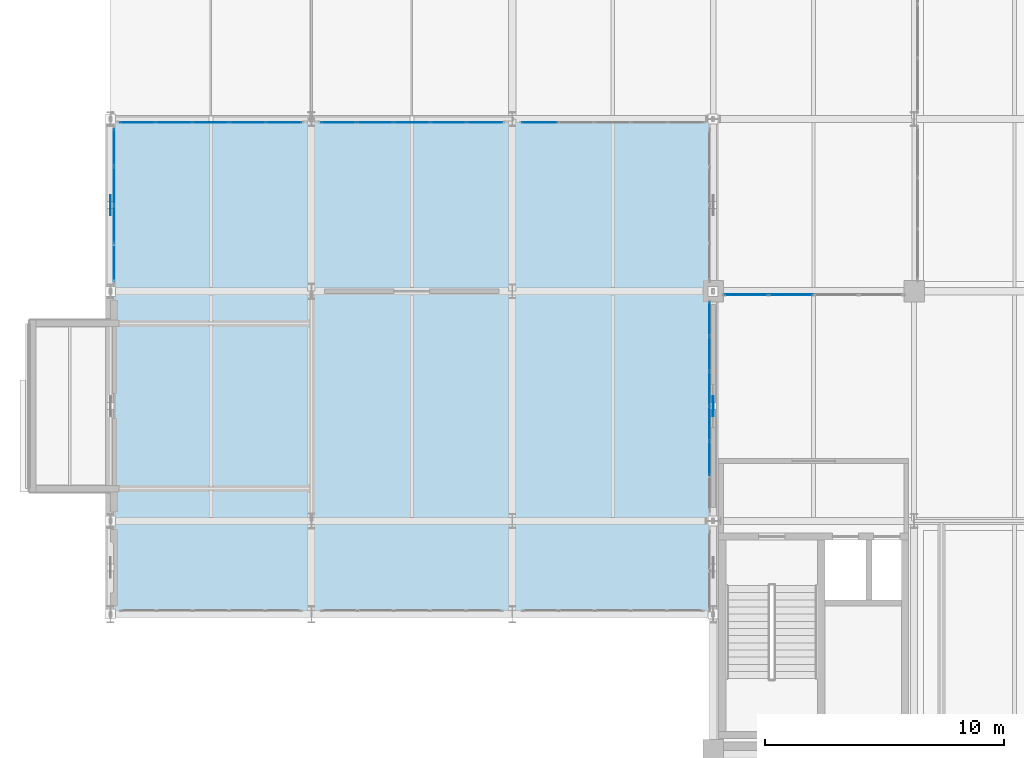
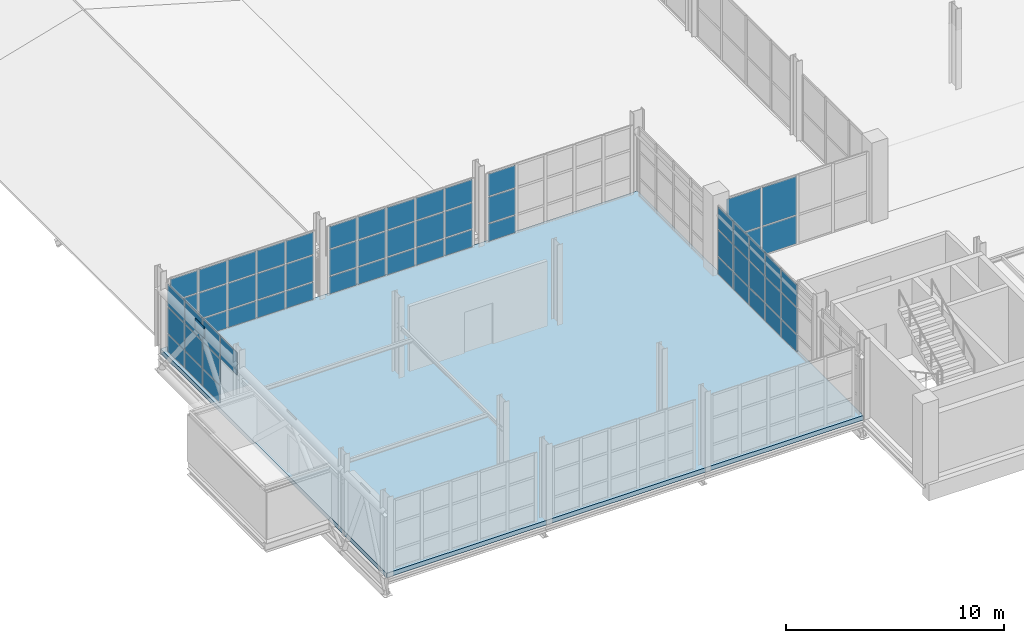
# One storey, part 105 of 130: 64 plates, 1 slab, 6 elements without a shape of their own.
"""IFC4 building model written with IfcOpenShell, lengths in metres."""

from ifc_helpers import new_model, si_unit, direction, frame, origin, origin_2d, place, context, subcontext, project, spatial, polyline, rectangle, outline, extrude, material, layer, layer_set, type_object, element, aggregate, save


model = new_model("IFC4")

# Units and contexts
model_context = context("Model", 3, precision=1e-05, world=origin(), true_north=direction((0.0, 1.0)))
body_context = subcontext(model_context, "Body", "Model", "MODEL_VIEW")
ifc_project = project(units=[si_unit("LENGTHUNIT", "METRE"), si_unit("AREAUNIT", "SQUARE_METRE"), si_unit("VOLUMEUNIT", "CUBIC_METRE"), si_unit("PLANEANGLEUNIT", "RADIAN"), si_unit("MASSUNIT", "GRAM", prefix="KILO")], contexts=[model_context])

# Site, building, storey
site_placement = place(None, origin())
site = spatial("IfcSite", under=ifc_project, at=site_placement, CompositionType="ELEMENT")
building_placement = place(site_placement, origin())
building = spatial("IfcBuilding", under=site, at=building_placement, Name="Veltarok Museum of Natural Sciences", CompositionType="ELEMENT")
storey_placement = place(building_placement, frame((0.0, 0.0, 12.89990234375)))
storey = spatial("IfcBuildingStorey", under=building, at=storey_placement, Name="L02", CompositionType="ELEMENT", Elevation=12.89990234375)

# Slab
ifc_material_1 = material(Name="Concrete C40/50", Category="concrete")
ifc_layer_1 = layer(ifc_material_1, 0.25)
ifc_layer_set_1 = layer_set([ifc_layer_1], Name="Concrete C40/50")
slab_type = type_object("IfcSlabType", Name="Paleontology Bridge Composite Deck 250", PredefinedType="FLOOR", material=ifc_layer_set_1)
slab_placement = place(storey_placement, frame((0.0, 0.0, -0.25)))
element("IfcSlab", 1, at=slab_placement, inside=storey, type_object=slab_type, Name="Floor Slab L02 V4", PredefinedType="FLOOR", context=body_context, shape_type="SweptSolid", body=[
    extrude(outline(polyline([(6.39990234375, 5.699951171875), (6.39990234375, 26.39990234375), (31.60009765625, 26.39990234375), (31.60009765625, 5.699951171875), (6.39990234375, 5.699951171875)])), origin(), (0.0, 0.0, 1.0), 0.25),
])

# Plates
ifc_material_2 = material(Name="Steel S355J2", Category="steel")
ifc_layer_2 = layer(ifc_material_2, 0.030029296875)
ifc_layer_set_2 = layer_set([ifc_layer_2], Name="Steel S355J2")
plate_type_1 = type_object("IfcPlateType", Name="Transfer Truss Chord Gusset Node Plate CN1", PredefinedType="USERDEFINED", material=ifc_layer_set_2)
for number, where, z_axis, x_axis, name in (
    (2, (6.39990234375, 22.800048828125, 3.01025390625), (0.0, 0.0, 1.0), (1.0, 0.0, 0.0), "Transfer Truss Node CN1 3"),
    (3, (31.60009765625, 14.39990234375, 3.01025390625), (0.0, 0.0, 1.0), (1.0, 0.0, 0.0), "Transfer Truss Node CN1 5"),
):
    element("IfcPlate", number, at=place(storey_placement, frame(where, z_axis=z_axis, x_axis=x_axis)), inside=storey, type_object=plate_type_1, Name=name, ObjectType="GUSSET PLATE", PredefinedType="USERDEFINED", context=body_context, shape_type="SweptSolid", body=[
        extrude(rectangle(XDim=0.030029296875, YDim=0.840087890625, at=origin_2d()), origin(), (0.0, 0.0, 1.0), 0.639892578125),
    ])

# Curtain wall, plates
ifc_material_3 = material(Name="Low-iron triple insulated glass", Category="glass")
curtain_wall_type_1 = type_object("IfcCurtainWallType", Name="Curtain Wall System CW-BRG-E-L02-BC-876x388 (Bridge East Court L02 BC 876x388cm)", PredefinedType="NOTDEFINED", material=ifc_material_3)
curtain_wall_1_placement = place(storey_placement, origin())
curtain_wall_1 = element("IfcCurtainWall", 4, at=curtain_wall_1_placement, inside=storey, type_object=curtain_wall_type_1, Name="Curtain Wall CW-BRG-E-L02-BC-876x388 CW-0031", PredefinedType="NOTDEFINED")
ifc_layer_3 = layer(ifc_material_3, 0.028076171875)
ifc_layer_set_3 = layer_set([ifc_layer_3], Name="Low-iron triple insulated glass")
plate_type_2 = type_object("IfcPlateType", Name="Triple Low-Iron Glazed Vision Panel 28", PredefinedType="CURTAIN_PANEL", material=ifc_layer_set_3)
plate_1_placement = place(storey_placement, frame((31.449951171875, 12.2099609375, 0.06005859375), z_axis=(0.0, 0.0, 1.0), x_axis=(0.0, 1.0, 0.0)))
plate_1 = element("IfcPlate", 5, at=plate_1_placement, type_object=plate_type_2, Name="CW-BRG-E-L02-BC-876x388 panel 2.1", PredefinedType="CURTAIN_PANEL", context=body_context, shape_type="SweptSolid", body=[
    extrude(rectangle(XDim=1.39990234375, YDim=0.028076171875, at=origin_2d()), origin(), (0.0, 0.0, 1.0), 0.9599609375),
])
plate_2_placement = place(storey_placement, frame((31.449951171875, 12.2099609375, 1.080078125), z_axis=(0.0, 0.0, 1.0), x_axis=(0.0, 1.0, 0.0)))
plate_2 = element("IfcPlate", 6, at=plate_2_placement, type_object=plate_type_2, Name="CW-BRG-E-L02-BC-876x388 panel 2.2", PredefinedType="CURTAIN_PANEL", context=body_context, shape_type="SweptSolid", body=[
    extrude(rectangle(XDim=1.39990234375, YDim=0.028076171875, at=origin_2d()), origin(), (0.0, 0.0, 1.0), 1.43994140625),
])
plate_3_placement = place(storey_placement, frame((31.449951171875, 12.2099609375, 2.580078125), z_axis=(0.0, 0.0, 1.0), x_axis=(0.0, 1.0, 0.0)))
plate_3 = element("IfcPlate", 7, at=plate_3_placement, type_object=plate_type_2, Name="CW-BRG-E-L02-BC-876x388 panel 2.3", PredefinedType="CURTAIN_PANEL", context=body_context, shape_type="SweptSolid", body=[
    extrude(rectangle(XDim=1.39990234375, YDim=0.028076171875, at=origin_2d()), origin(), (0.0, 0.0, 1.0), 1.239990234375),
])
plate_4_placement = place(storey_placement, frame((31.449951171875, 13.669921875, 0.06005859375), z_axis=(0.0, 0.0, 1.0), x_axis=(0.0, 1.0, 0.0)))
plate_4 = element("IfcPlate", 8, at=plate_4_placement, type_object=plate_type_2, Name="CW-BRG-E-L02-BC-876x388 panel 3.1", PredefinedType="CURTAIN_PANEL", context=body_context, shape_type="SweptSolid", body=[
    extrude(rectangle(XDim=1.39990234375, YDim=0.028076171875, at=origin_2d()), origin(), (0.0, 0.0, 1.0), 0.9599609375),
])
plate_5_placement = place(storey_placement, frame((31.449951171875, 13.669921875, 1.080078125), z_axis=(0.0, 0.0, 1.0), x_axis=(0.0, 1.0, 0.0)))
plate_5 = element("IfcPlate", 9, at=plate_5_placement, type_object=plate_type_2, Name="CW-BRG-E-L02-BC-876x388 panel 3.2", PredefinedType="CURTAIN_PANEL", context=body_context, shape_type="SweptSolid", body=[
    extrude(rectangle(XDim=1.39990234375, YDim=0.028076171875, at=origin_2d()), origin(), (0.0, 0.0, 1.0), 1.43994140625),
])
plate_6_placement = place(storey_placement, frame((31.449951171875, 13.669921875, 2.580078125), z_axis=(0.0, 0.0, 1.0), x_axis=(0.0, 1.0, 0.0)))
plate_6 = element("IfcPlate", 10, at=plate_6_placement, type_object=plate_type_2, Name="CW-BRG-E-L02-BC-876x388 panel 3.3", PredefinedType="CURTAIN_PANEL", context=body_context, shape_type="SweptSolid", body=[
    extrude(rectangle(XDim=1.39990234375, YDim=0.028076171875, at=origin_2d()), origin(), (0.0, 0.0, 1.0), 1.239990234375),
])
plate_7_placement = place(storey_placement, frame((31.449951171875, 15.1298828125, 0.06005859375), z_axis=(0.0, 0.0, 1.0), x_axis=(0.0, 1.0, 0.0)))
plate_7 = element("IfcPlate", 11, at=plate_7_placement, type_object=plate_type_2, Name="CW-BRG-E-L02-BC-876x388 panel 4.1", PredefinedType="CURTAIN_PANEL", context=body_context, shape_type="SweptSolid", body=[
    extrude(rectangle(XDim=1.39990234375, YDim=0.028076171875, at=origin_2d()), origin(), (0.0, 0.0, 1.0), 0.9599609375),
])
plate_8_placement = place(storey_placement, frame((31.449951171875, 15.1298828125, 1.080078125), z_axis=(0.0, 0.0, 1.0), x_axis=(0.0, 1.0, 0.0)))
plate_8 = element("IfcPlate", 12, at=plate_8_placement, type_object=plate_type_2, Name="CW-BRG-E-L02-BC-876x388 panel 4.2", PredefinedType="CURTAIN_PANEL", context=body_context, shape_type="SweptSolid", body=[
    extrude(rectangle(XDim=1.39990234375, YDim=0.028076171875, at=origin_2d()), origin(), (0.0, 0.0, 1.0), 1.43994140625),
])
plate_9_placement = place(storey_placement, frame((31.449951171875, 15.1298828125, 2.580078125), z_axis=(0.0, 0.0, 1.0), x_axis=(0.0, 1.0, 0.0)))
plate_9 = element("IfcPlate", 13, at=plate_9_placement, type_object=plate_type_2, Name="CW-BRG-E-L02-BC-876x388 panel 4.3", PredefinedType="CURTAIN_PANEL", context=body_context, shape_type="SweptSolid", body=[
    extrude(rectangle(XDim=1.39990234375, YDim=0.028076171875, at=origin_2d()), origin(), (0.0, 0.0, 1.0), 1.239990234375),
])
plate_10_placement = place(storey_placement, frame((31.449951171875, 16.590087890625, 0.06005859375), z_axis=(0.0, 0.0, 1.0), x_axis=(0.0, 1.0, 0.0)))
plate_10 = element("IfcPlate", 14, at=plate_10_placement, type_object=plate_type_2, Name="CW-BRG-E-L02-BC-876x388 panel 5.1", PredefinedType="CURTAIN_PANEL", context=body_context, shape_type="SweptSolid", body=[
    extrude(rectangle(XDim=1.39990234375, YDim=0.028076171875, at=origin_2d()), origin(), (0.0, 0.0, 1.0), 0.9599609375),
])
plate_11_placement = place(storey_placement, frame((31.449951171875, 16.590087890625, 1.080078125), z_axis=(0.0, 0.0, 1.0), x_axis=(0.0, 1.0, 0.0)))
plate_11 = element("IfcPlate", 15, at=plate_11_placement, type_object=plate_type_2, Name="CW-BRG-E-L02-BC-876x388 panel 5.2", PredefinedType="CURTAIN_PANEL", context=body_context, shape_type="SweptSolid", body=[
    extrude(rectangle(XDim=1.39990234375, YDim=0.028076171875, at=origin_2d()), origin(), (0.0, 0.0, 1.0), 1.43994140625),
])
plate_12_placement = place(storey_placement, frame((31.449951171875, 16.590087890625, 2.580078125), z_axis=(0.0, 0.0, 1.0), x_axis=(0.0, 1.0, 0.0)))
plate_12 = element("IfcPlate", 16, at=plate_12_placement, type_object=plate_type_2, Name="CW-BRG-E-L02-BC-876x388 panel 5.3", PredefinedType="CURTAIN_PANEL", context=body_context, shape_type="SweptSolid", body=[
    extrude(rectangle(XDim=1.39990234375, YDim=0.028076171875, at=origin_2d()), origin(), (0.0, 0.0, 1.0), 1.239990234375),
])
plate_13_placement = place(storey_placement, frame((31.449951171875, 18.034912109375, 0.06005859375), z_axis=(0.0, 0.0, 1.0), x_axis=(0.0, 1.0, 0.0)))
plate_13 = element("IfcPlate", 17, at=plate_13_placement, type_object=plate_type_2, Name="CW-BRG-E-L02-BC-876x388 panel 6.1", PredefinedType="CURTAIN_PANEL", context=body_context, shape_type="SweptSolid", body=[
    extrude(rectangle(XDim=1.3701171875, YDim=0.028076171875, at=origin_2d()), origin(), (0.0, 0.0, 1.0), 0.9599609375),
])
plate_14_placement = place(storey_placement, frame((31.449951171875, 18.034912109375, 1.080078125), z_axis=(0.0, 0.0, 1.0), x_axis=(0.0, 1.0, 0.0)))
plate_14 = element("IfcPlate", 18, at=plate_14_placement, type_object=plate_type_2, Name="CW-BRG-E-L02-BC-876x388 panel 6.2", PredefinedType="CURTAIN_PANEL", context=body_context, shape_type="SweptSolid", body=[
    extrude(rectangle(XDim=1.3701171875, YDim=0.028076171875, at=origin_2d()), origin(), (0.0, 0.0, 1.0), 1.43994140625),
])
plate_15_placement = place(storey_placement, frame((31.449951171875, 18.034912109375, 2.580078125), z_axis=(0.0, 0.0, 1.0), x_axis=(0.0, 1.0, 0.0)))
plate_15 = element("IfcPlate", 19, at=plate_15_placement, type_object=plate_type_2, Name="CW-BRG-E-L02-BC-876x388 panel 6.3", PredefinedType="CURTAIN_PANEL", context=body_context, shape_type="SweptSolid", body=[
    extrude(rectangle(XDim=1.3701171875, YDim=0.028076171875, at=origin_2d()), origin(), (0.0, 0.0, 1.0), 1.239990234375),
])
aggregate(curtain_wall_1, [plate_1, plate_2, plate_3, plate_4, plate_5, plate_6, plate_7, plate_8, plate_9, plate_10, plate_11, plate_12, plate_13, plate_14, plate_15])

curtain_wall_type_2 = type_object("IfcCurtainWallType", Name="Curtain Wall System CW-BRG-N-L02-1-768x388 (Bridge North Court L02 1-2 768x388cm)", PredefinedType="NOTDEFINED", material=ifc_material_3)
curtain_wall_2_placement = place(storey_placement, origin())
curtain_wall_2 = element("IfcCurtainWall", 20, at=curtain_wall_2_placement, inside=storey, type_object=curtain_wall_type_2, Name="Curtain Wall CW-BRG-N-L02-1-768x388 CW-0033", PredefinedType="NOTDEFINED")
plate_16_placement = place(storey_placement, frame((13.656982421875, 26.25, 0.06005859375), z_axis=(0.0, 0.0, 1.0), x_axis=(-1.0, 0.0, 0.0)))
plate_16 = element("IfcPlate", 21, at=plate_16_placement, type_object=plate_type_2, Name="CW-BRG-N-L02-1-768x388 panel 1.1", PredefinedType="CURTAIN_PANEL", context=body_context, shape_type="SweptSolid", body=[
    extrude(rectangle(XDim=1.446044921875, YDim=0.028076171875, at=origin_2d()), origin(), (0.0, 0.0, 1.0), 0.9599609375),
])
plate_17_placement = place(storey_placement, frame((13.656982421875, 26.25, 1.080078125), z_axis=(0.0, 0.0, 1.0), x_axis=(-1.0, 0.0, 0.0)))
plate_17 = element("IfcPlate", 22, at=plate_17_placement, type_object=plate_type_2, Name="CW-BRG-N-L02-1-768x388 panel 1.2", PredefinedType="CURTAIN_PANEL", context=body_context, shape_type="SweptSolid", body=[
    extrude(rectangle(XDim=1.446044921875, YDim=0.028076171875, at=origin_2d()), origin(), (0.0, 0.0, 1.0), 1.43994140625),
])
plate_18_placement = place(storey_placement, frame((13.656982421875, 26.25, 2.580078125), z_axis=(0.0, 0.0, 1.0), x_axis=(-1.0, 0.0, 0.0)))
plate_18 = element("IfcPlate", 23, at=plate_18_placement, type_object=plate_type_2, Name="CW-BRG-N-L02-1-768x388 panel 1.3", PredefinedType="CURTAIN_PANEL", context=body_context, shape_type="SweptSolid", body=[
    extrude(rectangle(XDim=1.446044921875, YDim=0.028076171875, at=origin_2d()), origin(), (0.0, 0.0, 1.0), 1.239990234375),
])
plate_19_placement = place(storey_placement, frame((12.135986328125, 26.25, 0.06005859375), z_axis=(0.0, 0.0, 1.0), x_axis=(-1.0, 0.0, 0.0)))
plate_19 = element("IfcPlate", 24, at=plate_19_placement, type_object=plate_type_2, Name="CW-BRG-N-L02-1-768x388 panel 2.1", PredefinedType="CURTAIN_PANEL", context=body_context, shape_type="SweptSolid", body=[
    extrude(rectangle(XDim=1.47607421875, YDim=0.028076171875, at=origin_2d()), origin(), (0.0, 0.0, 1.0), 0.9599609375),
])
plate_20_placement = place(storey_placement, frame((12.135986328125, 26.25, 1.080078125), z_axis=(0.0, 0.0, 1.0), x_axis=(-1.0, 0.0, 0.0)))
plate_20 = element("IfcPlate", 25, at=plate_20_placement, type_object=plate_type_2, Name="CW-BRG-N-L02-1-768x388 panel 2.2", PredefinedType="CURTAIN_PANEL", context=body_context, shape_type="SweptSolid", body=[
    extrude(rectangle(XDim=1.47607421875, YDim=0.028076171875, at=origin_2d()), origin(), (0.0, 0.0, 1.0), 1.43994140625),
])
plate_21_placement = place(storey_placement, frame((12.135986328125, 26.25, 2.580078125), z_axis=(0.0, 0.0, 1.0), x_axis=(-1.0, 0.0, 0.0)))
plate_21 = element("IfcPlate", 26, at=plate_21_placement, type_object=plate_type_2, Name="CW-BRG-N-L02-1-768x388 panel 2.3", PredefinedType="CURTAIN_PANEL", context=body_context, shape_type="SweptSolid", body=[
    extrude(rectangle(XDim=1.47607421875, YDim=0.028076171875, at=origin_2d()), origin(), (0.0, 0.0, 1.0), 1.239990234375),
])
plate_22_placement = place(storey_placement, frame((10.60009765625, 26.25, 0.06005859375), z_axis=(0.0, 0.0, 1.0), x_axis=(-1.0, 0.0, 0.0)))
plate_22 = element("IfcPlate", 27, at=plate_22_placement, type_object=plate_type_2, Name="CW-BRG-N-L02-1-768x388 panel 3.1", PredefinedType="CURTAIN_PANEL", context=body_context, shape_type="SweptSolid", body=[
    extrude(rectangle(XDim=1.47607421875, YDim=0.028076171875, at=origin_2d()), origin(), (0.0, 0.0, 1.0), 0.9599609375),
])
plate_23_placement = place(storey_placement, frame((10.60009765625, 26.25, 1.080078125), z_axis=(0.0, 0.0, 1.0), x_axis=(-1.0, 0.0, 0.0)))
plate_23 = element("IfcPlate", 28, at=plate_23_placement, type_object=plate_type_2, Name="CW-BRG-N-L02-1-768x388 panel 3.2", PredefinedType="CURTAIN_PANEL", context=body_context, shape_type="SweptSolid", body=[
    extrude(rectangle(XDim=1.47607421875, YDim=0.028076171875, at=origin_2d()), origin(), (0.0, 0.0, 1.0), 1.43994140625),
])
plate_24_placement = place(storey_placement, frame((10.60009765625, 26.25, 2.580078125), z_axis=(0.0, 0.0, 1.0), x_axis=(-1.0, 0.0, 0.0)))
plate_24 = element("IfcPlate", 29, at=plate_24_placement, type_object=plate_type_2, Name="CW-BRG-N-L02-1-768x388 panel 3.3", PredefinedType="CURTAIN_PANEL", context=body_context, shape_type="SweptSolid", body=[
    extrude(rectangle(XDim=1.47607421875, YDim=0.028076171875, at=origin_2d()), origin(), (0.0, 0.0, 1.0), 1.239990234375),
])
plate_25_placement = place(storey_placement, frame((9.06396484375, 26.25, 0.06005859375), z_axis=(0.0, 0.0, 1.0), x_axis=(-1.0, 0.0, 0.0)))
plate_25 = element("IfcPlate", 30, at=plate_25_placement, type_object=plate_type_2, Name="CW-BRG-N-L02-1-768x388 panel 4.1", PredefinedType="CURTAIN_PANEL", context=body_context, shape_type="SweptSolid", body=[
    extrude(rectangle(XDim=1.47607421875, YDim=0.028076171875, at=origin_2d()), origin(), (0.0, 0.0, 1.0), 0.9599609375),
])
plate_26_placement = place(storey_placement, frame((9.06396484375, 26.25, 1.080078125), z_axis=(0.0, 0.0, 1.0), x_axis=(-1.0, 0.0, 0.0)))
plate_26 = element("IfcPlate", 31, at=plate_26_placement, type_object=plate_type_2, Name="CW-BRG-N-L02-1-768x388 panel 4.2", PredefinedType="CURTAIN_PANEL", context=body_context, shape_type="SweptSolid", body=[
    extrude(rectangle(XDim=1.47607421875, YDim=0.028076171875, at=origin_2d()), origin(), (0.0, 0.0, 1.0), 1.43994140625),
])
plate_27_placement = place(storey_placement, frame((9.06396484375, 26.25, 2.580078125), z_axis=(0.0, 0.0, 1.0), x_axis=(-1.0, 0.0, 0.0)))
plate_27 = element("IfcPlate", 32, at=plate_27_placement, type_object=plate_type_2, Name="CW-BRG-N-L02-1-768x388 panel 4.3", PredefinedType="CURTAIN_PANEL", context=body_context, shape_type="SweptSolid", body=[
    extrude(rectangle(XDim=1.47607421875, YDim=0.028076171875, at=origin_2d()), origin(), (0.0, 0.0, 1.0), 1.239990234375),
])
plate_28_placement = place(storey_placement, frame((7.54296875, 26.25, 0.06005859375), z_axis=(0.0, 0.0, 1.0), x_axis=(-1.0, 0.0, 0.0)))
plate_28 = element("IfcPlate", 33, at=plate_28_placement, type_object=plate_type_2, Name="CW-BRG-N-L02-1-768x388 panel 5.1", PredefinedType="CURTAIN_PANEL", context=body_context, shape_type="SweptSolid", body=[
    extrude(rectangle(XDim=1.446044921875, YDim=0.028076171875, at=origin_2d()), origin(), (0.0, 0.0, 1.0), 0.9599609375),
])
plate_29_placement = place(storey_placement, frame((7.54296875, 26.25, 1.080078125), z_axis=(0.0, 0.0, 1.0), x_axis=(-1.0, 0.0, 0.0)))
plate_29 = element("IfcPlate", 34, at=plate_29_placement, type_object=plate_type_2, Name="CW-BRG-N-L02-1-768x388 panel 5.2", PredefinedType="CURTAIN_PANEL", context=body_context, shape_type="SweptSolid", body=[
    extrude(rectangle(XDim=1.446044921875, YDim=0.028076171875, at=origin_2d()), origin(), (0.0, 0.0, 1.0), 1.43994140625),
])
plate_30_placement = place(storey_placement, frame((7.54296875, 26.25, 2.580078125), z_axis=(0.0, 0.0, 1.0), x_axis=(-1.0, 0.0, 0.0)))
plate_30 = element("IfcPlate", 35, at=plate_30_placement, type_object=plate_type_2, Name="CW-BRG-N-L02-1-768x388 panel 5.3", PredefinedType="CURTAIN_PANEL", context=body_context, shape_type="SweptSolid", body=[
    extrude(rectangle(XDim=1.446044921875, YDim=0.028076171875, at=origin_2d()), origin(), (0.0, 0.0, 1.0), 1.239990234375),
])
aggregate(curtain_wall_2, [plate_16, plate_17, plate_18, plate_19, plate_20, plate_21, plate_22, plate_23, plate_24, plate_25, plate_26, plate_27, plate_28, plate_29, plate_30])

curtain_wall_type_3 = type_object("IfcCurtainWallType", Name="Curtain Wall System CW-BRG-N-L02-2-768x388 (Bridge North Court L02 2-3 768x388cm)", PredefinedType="NOTDEFINED", material=ifc_material_3)
curtain_wall_3_placement = place(storey_placement, origin())
curtain_wall_3 = element("IfcCurtainWall", 36, at=curtain_wall_3_placement, inside=storey, type_object=curtain_wall_type_3, Name="Curtain Wall CW-BRG-N-L02-2-768x388 CW-0034", PredefinedType="NOTDEFINED")
plate_31_placement = place(storey_placement, frame((22.056884765625, 26.25, 0.06005859375), z_axis=(0.0, 0.0, 1.0), x_axis=(-1.0, 0.0, 0.0)))
plate_31 = element("IfcPlate", 37, at=plate_31_placement, type_object=plate_type_2, Name="CW-BRG-N-L02-2-768x388 panel 1.1", PredefinedType="CURTAIN_PANEL", context=body_context, shape_type="SweptSolid", body=[
    extrude(rectangle(XDim=1.446044921875, YDim=0.028076171875, at=origin_2d()), origin(), (0.0, 0.0, 1.0), 0.9599609375),
])
plate_32_placement = place(storey_placement, frame((22.056884765625, 26.25, 1.080078125), z_axis=(0.0, 0.0, 1.0), x_axis=(-1.0, 0.0, 0.0)))
plate_32 = element("IfcPlate", 38, at=plate_32_placement, type_object=plate_type_2, Name="CW-BRG-N-L02-2-768x388 panel 1.2", PredefinedType="CURTAIN_PANEL", context=body_context, shape_type="SweptSolid", body=[
    extrude(rectangle(XDim=1.446044921875, YDim=0.028076171875, at=origin_2d()), origin(), (0.0, 0.0, 1.0), 1.43994140625),
])
plate_33_placement = place(storey_placement, frame((22.056884765625, 26.25, 2.580078125), z_axis=(0.0, 0.0, 1.0), x_axis=(-1.0, 0.0, 0.0)))
plate_33 = element("IfcPlate", 39, at=plate_33_placement, type_object=plate_type_2, Name="CW-BRG-N-L02-2-768x388 panel 1.3", PredefinedType="CURTAIN_PANEL", context=body_context, shape_type="SweptSolid", body=[
    extrude(rectangle(XDim=1.446044921875, YDim=0.028076171875, at=origin_2d()), origin(), (0.0, 0.0, 1.0), 1.239990234375),
])
plate_34_placement = place(storey_placement, frame((20.535888671875, 26.25, 0.06005859375), z_axis=(0.0, 0.0, 1.0), x_axis=(-1.0, 0.0, 0.0)))
plate_34 = element("IfcPlate", 40, at=plate_34_placement, type_object=plate_type_2, Name="CW-BRG-N-L02-2-768x388 panel 2.1", PredefinedType="CURTAIN_PANEL", context=body_context, shape_type="SweptSolid", body=[
    extrude(rectangle(XDim=1.47607421875, YDim=0.028076171875, at=origin_2d()), origin(), (0.0, 0.0, 1.0), 0.9599609375),
])
plate_35_placement = place(storey_placement, frame((20.535888671875, 26.25, 1.080078125), z_axis=(0.0, 0.0, 1.0), x_axis=(-1.0, 0.0, 0.0)))
plate_35 = element("IfcPlate", 41, at=plate_35_placement, type_object=plate_type_2, Name="CW-BRG-N-L02-2-768x388 panel 2.2", PredefinedType="CURTAIN_PANEL", context=body_context, shape_type="SweptSolid", body=[
    extrude(rectangle(XDim=1.47607421875, YDim=0.028076171875, at=origin_2d()), origin(), (0.0, 0.0, 1.0), 1.43994140625),
])
plate_36_placement = place(storey_placement, frame((20.535888671875, 26.25, 2.580078125), z_axis=(0.0, 0.0, 1.0), x_axis=(-1.0, 0.0, 0.0)))
plate_36 = element("IfcPlate", 42, at=plate_36_placement, type_object=plate_type_2, Name="CW-BRG-N-L02-2-768x388 panel 2.3", PredefinedType="CURTAIN_PANEL", context=body_context, shape_type="SweptSolid", body=[
    extrude(rectangle(XDim=1.47607421875, YDim=0.028076171875, at=origin_2d()), origin(), (0.0, 0.0, 1.0), 1.239990234375),
])
plate_37_placement = place(storey_placement, frame((19.0, 26.25, 0.06005859375), z_axis=(0.0, 0.0, 1.0), x_axis=(-1.0, 0.0, 0.0)))
plate_37 = element("IfcPlate", 43, at=plate_37_placement, type_object=plate_type_2, Name="CW-BRG-N-L02-2-768x388 panel 3.1", PredefinedType="CURTAIN_PANEL", context=body_context, shape_type="SweptSolid", body=[
    extrude(rectangle(XDim=1.47607421875, YDim=0.028076171875, at=origin_2d()), origin(), (0.0, 0.0, 1.0), 0.9599609375),
])
plate_38_placement = place(storey_placement, frame((19.0, 26.25, 1.080078125), z_axis=(0.0, 0.0, 1.0), x_axis=(-1.0, 0.0, 0.0)))
plate_38 = element("IfcPlate", 44, at=plate_38_placement, type_object=plate_type_2, Name="CW-BRG-N-L02-2-768x388 panel 3.2", PredefinedType="CURTAIN_PANEL", context=body_context, shape_type="SweptSolid", body=[
    extrude(rectangle(XDim=1.47607421875, YDim=0.028076171875, at=origin_2d()), origin(), (0.0, 0.0, 1.0), 1.43994140625),
])
plate_39_placement = place(storey_placement, frame((19.0, 26.25, 2.580078125), z_axis=(0.0, 0.0, 1.0), x_axis=(-1.0, 0.0, 0.0)))
plate_39 = element("IfcPlate", 45, at=plate_39_placement, type_object=plate_type_2, Name="CW-BRG-N-L02-2-768x388 panel 3.3", PredefinedType="CURTAIN_PANEL", context=body_context, shape_type="SweptSolid", body=[
    extrude(rectangle(XDim=1.47607421875, YDim=0.028076171875, at=origin_2d()), origin(), (0.0, 0.0, 1.0), 1.239990234375),
])
plate_40_placement = place(storey_placement, frame((17.464111328125, 26.25, 0.06005859375), z_axis=(0.0, 0.0, 1.0), x_axis=(-1.0, 0.0, 0.0)))
plate_40 = element("IfcPlate", 46, at=plate_40_placement, type_object=plate_type_2, Name="CW-BRG-N-L02-2-768x388 panel 4.1", PredefinedType="CURTAIN_PANEL", context=body_context, shape_type="SweptSolid", body=[
    extrude(rectangle(XDim=1.47607421875, YDim=0.028076171875, at=origin_2d()), origin(), (0.0, 0.0, 1.0), 0.9599609375),
])
plate_41_placement = place(storey_placement, frame((17.464111328125, 26.25, 1.080078125), z_axis=(0.0, 0.0, 1.0), x_axis=(-1.0, 0.0, 0.0)))
plate_41 = element("IfcPlate", 47, at=plate_41_placement, type_object=plate_type_2, Name="CW-BRG-N-L02-2-768x388 panel 4.2", PredefinedType="CURTAIN_PANEL", context=body_context, shape_type="SweptSolid", body=[
    extrude(rectangle(XDim=1.47607421875, YDim=0.028076171875, at=origin_2d()), origin(), (0.0, 0.0, 1.0), 1.43994140625),
])
plate_42_placement = place(storey_placement, frame((17.464111328125, 26.25, 2.580078125), z_axis=(0.0, 0.0, 1.0), x_axis=(-1.0, 0.0, 0.0)))
plate_42 = element("IfcPlate", 48, at=plate_42_placement, type_object=plate_type_2, Name="CW-BRG-N-L02-2-768x388 panel 4.3", PredefinedType="CURTAIN_PANEL", context=body_context, shape_type="SweptSolid", body=[
    extrude(rectangle(XDim=1.47607421875, YDim=0.028076171875, at=origin_2d()), origin(), (0.0, 0.0, 1.0), 1.239990234375),
])
plate_43_placement = place(storey_placement, frame((15.943115234375, 26.25, 0.06005859375), z_axis=(0.0, 0.0, 1.0), x_axis=(-1.0, 0.0, 0.0)))
plate_43 = element("IfcPlate", 49, at=plate_43_placement, type_object=plate_type_2, Name="CW-BRG-N-L02-2-768x388 panel 5.1", PredefinedType="CURTAIN_PANEL", context=body_context, shape_type="SweptSolid", body=[
    extrude(rectangle(XDim=1.446044921875, YDim=0.028076171875, at=origin_2d()), origin(), (0.0, 0.0, 1.0), 0.9599609375),
])
plate_44_placement = place(storey_placement, frame((15.943115234375, 26.25, 1.080078125), z_axis=(0.0, 0.0, 1.0), x_axis=(-1.0, 0.0, 0.0)))
plate_44 = element("IfcPlate", 50, at=plate_44_placement, type_object=plate_type_2, Name="CW-BRG-N-L02-2-768x388 panel 5.2", PredefinedType="CURTAIN_PANEL", context=body_context, shape_type="SweptSolid", body=[
    extrude(rectangle(XDim=1.446044921875, YDim=0.028076171875, at=origin_2d()), origin(), (0.0, 0.0, 1.0), 1.43994140625),
])
plate_45_placement = place(storey_placement, frame((15.943115234375, 26.25, 2.580078125), z_axis=(0.0, 0.0, 1.0), x_axis=(-1.0, 0.0, 0.0)))
plate_45 = element("IfcPlate", 51, at=plate_45_placement, type_object=plate_type_2, Name="CW-BRG-N-L02-2-768x388 panel 5.3", PredefinedType="CURTAIN_PANEL", context=body_context, shape_type="SweptSolid", body=[
    extrude(rectangle(XDim=1.446044921875, YDim=0.028076171875, at=origin_2d()), origin(), (0.0, 0.0, 1.0), 1.239990234375),
])
aggregate(curtain_wall_3, [plate_31, plate_32, plate_33, plate_34, plate_35, plate_36, plate_37, plate_38, plate_39, plate_40, plate_41, plate_42, plate_43, plate_44, plate_45])

curtain_wall_type_4 = type_object("IfcCurtainWallType", Name="Curtain Wall System CW-BRG-N-L02-3-768x388 (Bridge North Court L02 3-4 768x388cm)", PredefinedType="NOTDEFINED", material=ifc_material_3)
curtain_wall_4_placement = place(storey_placement, origin())
curtain_wall_4 = element("IfcCurtainWall", 52, at=curtain_wall_4_placement, inside=storey, type_object=curtain_wall_type_4, Name="Curtain Wall CW-BRG-N-L02-3-768x388 CW-0035", PredefinedType="NOTDEFINED")
plate_46_placement = place(storey_placement, frame((24.343017578125, 26.25, 0.06005859375), z_axis=(0.0, 0.0, 1.0), x_axis=(-1.0, 0.0, 0.0)))
plate_46 = element("IfcPlate", 53, at=plate_46_placement, type_object=plate_type_2, Name="CW-BRG-N-L02-3-768x388 panel 5.1", PredefinedType="CURTAIN_PANEL", context=body_context, shape_type="SweptSolid", body=[
    extrude(rectangle(XDim=1.446044921875, YDim=0.028076171875, at=origin_2d()), origin(), (0.0, 0.0, 1.0), 0.9599609375),
])
plate_47_placement = place(storey_placement, frame((24.343017578125, 26.25, 1.080078125), z_axis=(0.0, 0.0, 1.0), x_axis=(-1.0, 0.0, 0.0)))
plate_47 = element("IfcPlate", 54, at=plate_47_placement, type_object=plate_type_2, Name="CW-BRG-N-L02-3-768x388 panel 5.2", PredefinedType="CURTAIN_PANEL", context=body_context, shape_type="SweptSolid", body=[
    extrude(rectangle(XDim=1.446044921875, YDim=0.028076171875, at=origin_2d()), origin(), (0.0, 0.0, 1.0), 1.43994140625),
])
plate_48_placement = place(storey_placement, frame((24.343017578125, 26.25, 2.580078125), z_axis=(0.0, 0.0, 1.0), x_axis=(-1.0, 0.0, 0.0)))
plate_48 = element("IfcPlate", 55, at=plate_48_placement, type_object=plate_type_2, Name="CW-BRG-N-L02-3-768x388 panel 5.3", PredefinedType="CURTAIN_PANEL", context=body_context, shape_type="SweptSolid", body=[
    extrude(rectangle(XDim=1.446044921875, YDim=0.028076171875, at=origin_2d()), origin(), (0.0, 0.0, 1.0), 1.239990234375),
])
aggregate(curtain_wall_4, [plate_46, plate_47, plate_48])

curtain_wall_type_5 = type_object("IfcCurtainWallType", Name="Curtain Wall System CW-BRG-W-L02-CD-648x388 (Bridge West Forecourt L02 C-D 648x388cm)", PredefinedType="NOTDEFINED", material=ifc_material_3)
curtain_wall_5_placement = place(storey_placement, origin())
curtain_wall_5 = element("IfcCurtainWall", 56, at=curtain_wall_5_placement, inside=storey, type_object=curtain_wall_type_5, Name="Curtain Wall CW-BRG-W-L02-CD-648x388 CW-0036", PredefinedType="NOTDEFINED")
plate_49_placement = place(storey_placement, frame((6.550048828125, 25.215087890625, 0.06005859375), z_axis=(0.0, 0.0, 1.0), x_axis=(0.0, -1.0, 0.0)))
plate_49 = element("IfcPlate", 57, at=plate_49_placement, type_object=plate_type_2, Name="CW-BRG-W-L02-CD-648x388 panel 1.1", PredefinedType="CURTAIN_PANEL", context=body_context, shape_type="SweptSolid", body=[
    extrude(rectangle(XDim=1.530029296875, YDim=0.028076171875, at=origin_2d()), origin(), (0.0, 0.0, 1.0), 0.9599609375),
])
plate_50_placement = place(storey_placement, frame((6.550048828125, 25.215087890625, 1.080078125), z_axis=(0.0, 0.0, 1.0), x_axis=(0.0, -1.0, 0.0)))
plate_50 = element("IfcPlate", 58, at=plate_50_placement, type_object=plate_type_2, Name="CW-BRG-W-L02-CD-648x388 panel 1.2", PredefinedType="CURTAIN_PANEL", context=body_context, shape_type="SweptSolid", body=[
    extrude(rectangle(XDim=1.530029296875, YDim=0.028076171875, at=origin_2d()), origin(), (0.0, 0.0, 1.0), 1.43994140625),
])
plate_51_placement = place(storey_placement, frame((6.550048828125, 25.215087890625, 2.580078125), z_axis=(0.0, 0.0, 1.0), x_axis=(0.0, -1.0, 0.0)))
plate_51 = element("IfcPlate", 59, at=plate_51_placement, type_object=plate_type_2, Name="CW-BRG-W-L02-CD-648x388 panel 1.3", PredefinedType="CURTAIN_PANEL", context=body_context, shape_type="SweptSolid", body=[
    extrude(rectangle(XDim=1.530029296875, YDim=0.028076171875, at=origin_2d()), origin(), (0.0, 0.0, 1.0), 1.239990234375),
])
plate_52_placement = place(storey_placement, frame((6.550048828125, 23.610107421875, 0.06005859375), z_axis=(0.0, 0.0, 1.0), x_axis=(0.0, -1.0, 0.0)))
plate_52 = element("IfcPlate", 60, at=plate_52_placement, type_object=plate_type_2, Name="CW-BRG-W-L02-CD-648x388 panel 2.1", PredefinedType="CURTAIN_PANEL", context=body_context, shape_type="SweptSolid", body=[
    extrude(rectangle(XDim=1.56005859375, YDim=0.028076171875, at=origin_2d()), origin(), (0.0, 0.0, 1.0), 0.9599609375),
])
plate_53_placement = place(storey_placement, frame((6.550048828125, 23.610107421875, 1.080078125), z_axis=(0.0, 0.0, 1.0), x_axis=(0.0, -1.0, 0.0)))
plate_53 = element("IfcPlate", 61, at=plate_53_placement, type_object=plate_type_2, Name="CW-BRG-W-L02-CD-648x388 panel 2.2", PredefinedType="CURTAIN_PANEL", context=body_context, shape_type="SweptSolid", body=[
    extrude(rectangle(XDim=1.56005859375, YDim=0.028076171875, at=origin_2d()), origin(), (0.0, 0.0, 1.0), 1.43994140625),
])
plate_54_placement = place(storey_placement, frame((6.550048828125, 23.610107421875, 2.580078125), z_axis=(0.0, 0.0, 1.0), x_axis=(0.0, -1.0, 0.0)))
plate_54 = element("IfcPlate", 62, at=plate_54_placement, type_object=plate_type_2, Name="CW-BRG-W-L02-CD-648x388 panel 2.3", PredefinedType="CURTAIN_PANEL", context=body_context, shape_type="SweptSolid", body=[
    extrude(rectangle(XDim=1.56005859375, YDim=0.028076171875, at=origin_2d()), origin(), (0.0, 0.0, 1.0), 1.239990234375),
])
plate_55_placement = place(storey_placement, frame((6.550048828125, 21.989990234375, 0.06005859375), z_axis=(0.0, 0.0, 1.0), x_axis=(0.0, -1.0, 0.0)))
plate_55 = element("IfcPlate", 63, at=plate_55_placement, type_object=plate_type_2, Name="CW-BRG-W-L02-CD-648x388 panel 3.1", PredefinedType="CURTAIN_PANEL", context=body_context, shape_type="SweptSolid", body=[
    extrude(rectangle(XDim=1.56005859375, YDim=0.028076171875, at=origin_2d()), origin(), (0.0, 0.0, 1.0), 0.9599609375),
])
plate_56_placement = place(storey_placement, frame((6.550048828125, 21.989990234375, 1.080078125), z_axis=(0.0, 0.0, 1.0), x_axis=(0.0, -1.0, 0.0)))
plate_56 = element("IfcPlate", 64, at=plate_56_placement, type_object=plate_type_2, Name="CW-BRG-W-L02-CD-648x388 panel 3.2", PredefinedType="CURTAIN_PANEL", context=body_context, shape_type="SweptSolid", body=[
    extrude(rectangle(XDim=1.56005859375, YDim=0.028076171875, at=origin_2d()), origin(), (0.0, 0.0, 1.0), 1.43994140625),
])
plate_57_placement = place(storey_placement, frame((6.550048828125, 21.989990234375, 2.580078125), z_axis=(0.0, 0.0, 1.0), x_axis=(0.0, -1.0, 0.0)))
plate_57 = element("IfcPlate", 65, at=plate_57_placement, type_object=plate_type_2, Name="CW-BRG-W-L02-CD-648x388 panel 3.3", PredefinedType="CURTAIN_PANEL", context=body_context, shape_type="SweptSolid", body=[
    extrude(rectangle(XDim=1.56005859375, YDim=0.028076171875, at=origin_2d()), origin(), (0.0, 0.0, 1.0), 1.239990234375),
])
plate_58_placement = place(storey_placement, frame((6.550048828125, 20.385009765625, 2.580078125), z_axis=(0.0, 0.0, 1.0), x_axis=(0.0, -1.0, 0.0)))
plate_58 = element("IfcPlate", 66, at=plate_58_placement, type_object=plate_type_2, Name="CW-BRG-W-L02-CD-648x388 panel 4.3", PredefinedType="CURTAIN_PANEL", context=body_context, shape_type="SweptSolid", body=[
    extrude(rectangle(XDim=1.530029296875, YDim=0.028076171875, at=origin_2d()), origin(), (0.0, 0.0, 1.0), 1.239990234375),
])
aggregate(curtain_wall_5, [plate_49, plate_50, plate_51, plate_52, plate_53, plate_54, plate_55, plate_56, plate_57, plate_58])

curtain_wall_type_6 = type_object("IfcCurtainWallType", Name="Curtain Wall System CW-V1CNW-L02-0-755x388 (CW-V1CNW L02 755x388cm)", PredefinedType="NOTDEFINED", material=ifc_material_3)
curtain_wall_6_placement = place(storey_placement, origin())
curtain_wall_6 = element("IfcCurtainWall", 67, at=curtain_wall_6_placement, inside=storey, type_object=curtain_wall_type_6, Name="Curtain Wall CW-V1CNW-L02-0-755x388 CW-0160", PredefinedType="NOTDEFINED")
plate_59_placement = place(storey_placement, frame((34.856201171875, 19.050048828125, 0.05810546875), z_axis=(0.0, 0.0, 1.0), x_axis=(-1.0, 0.0, 0.0)))
plate_59 = element("IfcPlate", 68, at=plate_59_placement, type_object=plate_type_2, Name="CW-V1CNW-L02-0-755x388 panel 3.1", PredefinedType="CURTAIN_PANEL", context=body_context, shape_type="SweptSolid", body=[
    extrude(rectangle(XDim=1.827392578125, YDim=0.028076171875, at=origin_2d()), origin(), (0.0, 0.0, 1.0), 1.56005859375),
])
plate_60_placement = place(storey_placement, frame((34.856201171875, 19.050048828125, 1.677978515625), z_axis=(0.0, 0.0, 1.0), x_axis=(-1.0, 0.0, 0.0)))
plate_60 = element("IfcPlate", 69, at=plate_60_placement, type_object=plate_type_2, Name="CW-V1CNW-L02-0-755x388 panel 3.2", PredefinedType="CURTAIN_PANEL", context=body_context, shape_type="SweptSolid", body=[
    extrude(rectangle(XDim=1.827392578125, YDim=0.028076171875, at=origin_2d()), origin(), (0.0, 0.0, 1.0), 2.14208984375),
])
plate_61_placement = place(storey_placement, frame((32.983642578125, 19.050048828125, 0.05810546875), z_axis=(0.0, 0.0, 1.0), x_axis=(-1.0, 0.0, 0.0)))
plate_61 = element("IfcPlate", 70, at=plate_61_placement, type_object=plate_type_2, Name="CW-V1CNW-L02-0-755x388 panel 4.1", PredefinedType="CURTAIN_PANEL", context=body_context, shape_type="SweptSolid", body=[
    extrude(rectangle(XDim=1.797607421875, YDim=0.028076171875, at=origin_2d()), origin(), (0.0, 0.0, 1.0), 1.56005859375),
])
plate_62_placement = place(storey_placement, frame((32.983642578125, 19.050048828125, 1.677978515625), z_axis=(0.0, 0.0, 1.0), x_axis=(-1.0, 0.0, 0.0)))
plate_62 = element("IfcPlate", 71, at=plate_62_placement, type_object=plate_type_2, Name="CW-V1CNW-L02-0-755x388 panel 4.2", PredefinedType="CURTAIN_PANEL", context=body_context, shape_type="SweptSolid", body=[
    extrude(rectangle(XDim=1.797607421875, YDim=0.028076171875, at=origin_2d()), origin(), (0.0, 0.0, 1.0), 2.14208984375),
])
aggregate(curtain_wall_6, [plate_59, plate_60, plate_61, plate_62])

save(model, "model.ifc")
